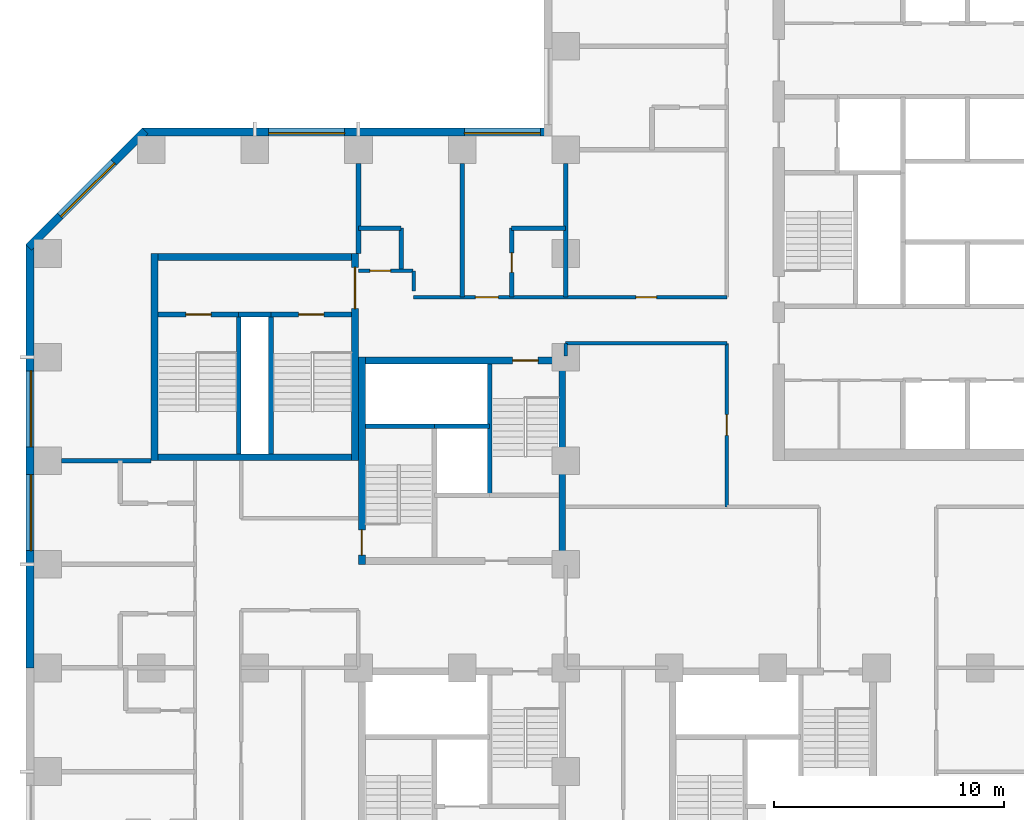
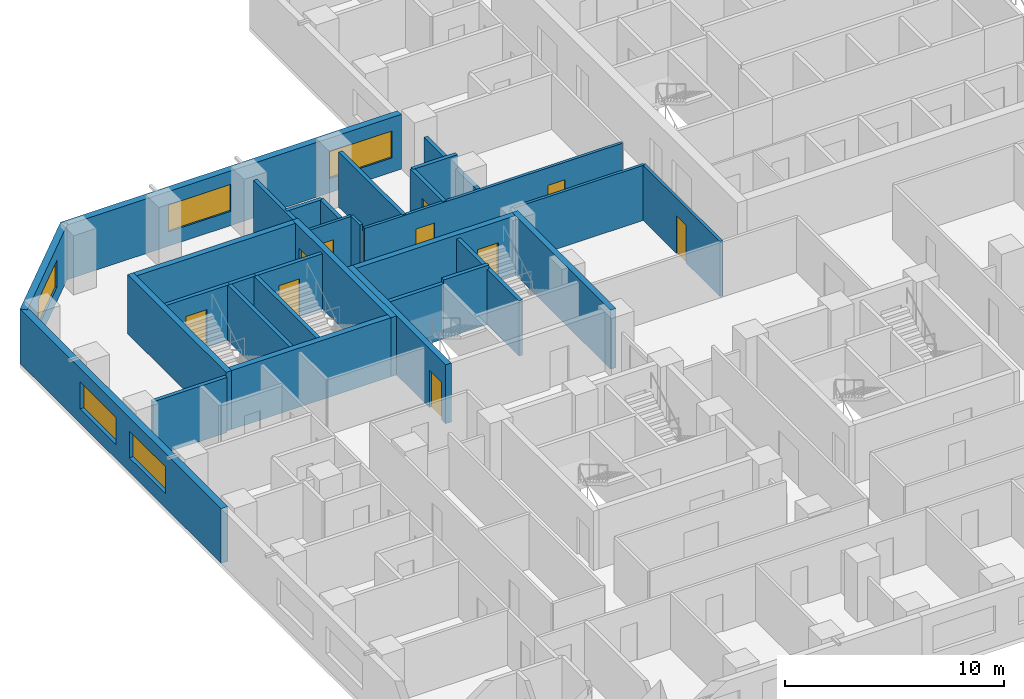
# One storey, part 6 of 13: 32 walls, 10 doors, 5 windows, 15 openings.
"""IFC4 building model written with IfcOpenShell, lengths in metres."""

import ifcopenshell
import ifcopenshell.guid

model = None  # the IFC model being written
_history = None  # IfcOwnerHistory: only IFC2X3 demands one
_inside = {}  # id of a spatial element -> (the spatial element, [elements in it])
_under = {}  # id of a project, library or spatial element -> (it, [spatial elements below it])
_declared = {}  # id of a project -> (the project, [libraries it declares])
_typed = {}  # id of a type object -> (the type object, [elements of that type])
_made_of = {}  # id of a material, layer set ... -> (it, [elements and type objects made of it])


def new_model(schema):
    """Start an empty IFC model of exactly this schema.

    Asked for "IFC4X3", IfcOpenShell would pick the latest addendum, in which some entities
    have other attributes; the version numbers below select the first issue.
    IFC2X3 requires an IfcOwnerHistory on every rooted entity: one is made here for all.
    """
    global model, _history
    if schema == "IFC4X3":
        model = ifcopenshell.file(schema_version=(4, 3, 0, 0))
    else:
        model = ifcopenshell.file(schema=schema)
    _inside.clear()
    _under.clear()
    _declared.clear()
    _typed.clear()
    _made_of.clear()
    _history = None
    if model.schema == "IFC2X3":
        org = make("IfcOrganization", Name="unknown")
        user = make(
            "IfcPersonAndOrganization",
            ThePerson=make("IfcPerson", FamilyName="unknown"),
            TheOrganization=org,
        )
        app = make(
            "IfcApplication",
            ApplicationDeveloper=org,
            Version="unknown",
            ApplicationFullName="unknown",
            ApplicationIdentifier="unknown",
        )
        _history = make(
            "IfcOwnerHistory",
            OwningUser=user,
            OwningApplication=app,
            ChangeAction="ADDED",
            CreationDate=0,
        )
    return model


def make(cls, **values):
    """One entity of the class cls with the attributes given. An attribute that is None is left unset."""
    return model.create_entity(
        cls, **{name: value for name, value in values.items() if value is not None}
    )


def rooted(cls, **values):
    """An entity with a GlobalId (a new one), such as an element, a storey or a relation."""
    return make(cls, GlobalId=ifcopenshell.guid.new(), OwnerHistory=_history, **values)


def si_unit(unit_type, name, prefix=None):
    """IfcSIUnit, for example si_unit("LENGTHUNIT", "METRE", prefix="MILLI")."""
    return make("IfcSIUnit", UnitType=unit_type, Prefix=prefix, Name=name)


def assignment(units):
    """IfcUnitAssignment: the units of a project."""
    return None if units is None else make("IfcUnitAssignment", Units=units)


def point(xyz):
    """IfcCartesianPoint."""
    return None if xyz is None else make("IfcCartesianPoint", Coordinates=xyz)


def direction(xyz):
    """IfcDirection."""
    return None if xyz is None else make("IfcDirection", DirectionRatios=xyz)


def frame(location, z_axis=None, x_axis=None):
    """IfcAxis2Placement3D, a coordinate frame: its origin and axes. An axis left out is left unset."""
    return make(
        "IfcAxis2Placement3D",
        Location=point(location),
        Axis=direction(z_axis),
        RefDirection=direction(x_axis),
    )


def frame_2d(location, x_axis=None):
    """IfcAxis2Placement2D, a coordinate frame in the plane: its origin and x axis."""
    return make(
        "IfcAxis2Placement2D", Location=point(location), RefDirection=direction(x_axis)
    )


def origin():
    """The frame at (0, 0, 0) with its axes left unset."""
    return frame((0.0, 0.0, 0.0))


def place(relative_to, where):
    """IfcLocalPlacement: puts the frame where relative to a parent placement (None: the world)."""
    return make(
        "IfcLocalPlacement", PlacementRelTo=relative_to, RelativePlacement=where
    )


def context(
    kind, dimensions, precision=None, world=None, true_north=None, identifier=None
):
    """IfcGeometricRepresentationContext, for example the 3D "Model" context."""
    return make(
        "IfcGeometricRepresentationContext",
        ContextIdentifier=identifier,
        ContextType=kind,
        CoordinateSpaceDimension=dimensions,
        Precision=precision,
        WorldCoordinateSystem=world,
        TrueNorth=true_north,
    )


def subcontext(parent, identifier, kind, view, scale=None):
    """IfcGeometricRepresentationSubContext, for example "Body" below "Model"."""
    return make(
        "IfcGeometricRepresentationSubContext",
        ContextIdentifier=identifier,
        ContextType=kind,
        ParentContext=parent,
        TargetScale=scale,
        TargetView=view,
    )


def project(units=None, contexts=None):
    """IfcProject with its units and contexts."""
    return rooted(
        "IfcProject",
        Name="project",
        RepresentationContexts=contexts,
        UnitsInContext=assignment(units),
    )


def spatial(cls, under=None, at=None, **own):
    """A site, building, storey or space (cls), placed at a placement, below another one or the project."""
    s = rooted(cls, ObjectPlacement=at, **own)
    if under is not None:
        _under.setdefault(under.id(), (under, []))[1].append(s)
    return s


def profile(cls, at=None, kind="AREA", **sizes):
    """A parametric profile (cls). Its sizes go by their IFC names, for example OverallWidth=200.0."""
    return make(cls, ProfileType=kind, Position=at, **sizes)


def rectangle(**sizes):
    """IfcRectangleProfileDef."""
    return profile("IfcRectangleProfileDef", **sizes)


def extrude(swept, where, along, depth):
    """IfcExtrudedAreaSolid: the profile swept, set in the frame where, extruded along a direction by depth."""
    return make(
        "IfcExtrudedAreaSolid",
        SweptArea=swept,
        Position=where,
        ExtrudedDirection=direction(along),
        Depth=depth,
    )


def shape(context_of_items, identifier, shape_type, items):
    """IfcShapeRepresentation: the items that make up one representation, for example the "Body"."""
    return make(
        "IfcShapeRepresentation",
        ContextOfItems=context_of_items,
        RepresentationIdentifier=identifier,
        RepresentationType=shape_type,
        Items=items,
    )


def material(Name=None, Category=None):
    """IfcMaterial."""
    return make("IfcMaterial", Name=Name, Category=Category)


def layer(
    of_material, thickness, ventilated=None, Name=None, Category=None, Priority=None
):
    """IfcMaterialLayer: one layer of a wall or slab, of a material (None: an air gap)."""
    return make(
        "IfcMaterialLayer",
        Material=of_material,
        LayerThickness=thickness,
        IsVentilated=ventilated,
        Name=Name,
        Category=Category,
        Priority=Priority,
    )


def layer_set(layers, Name=None):
    """IfcMaterialLayerSet."""
    return make("IfcMaterialLayerSet", MaterialLayers=layers, LayerSetName=Name)


def constituent(of_material, Name=None, Category=None, fraction=None):
    """IfcMaterialConstituent: one of the materials an element consists of."""
    return make(
        "IfcMaterialConstituent",
        Name=Name,
        Material=of_material,
        Fraction=fraction,
        Category=Category,
    )


def constituent_set(constituents=None, Name=None):
    """IfcMaterialConstituentSet."""
    return make(
        "IfcMaterialConstituentSet", Name=Name, MaterialConstituents=constituents
    )


def made_of(thing, what):
    """Note that an element or type object is made of a material, layer set ...; save() writes the relation."""
    if what is not None:
        _made_of.setdefault(what.id(), (what, []))[1].append(thing)
    return thing


def type_object(cls, material=None, **own):
    """A type object (cls), such as IfcWallType, which elements share."""
    return made_of(rooted(cls, **own), material)


def element(
    cls,
    number,
    at=None,
    inside=None,
    cuts=None,
    type_object=None,
    material=None,
    context=None,
    identifier="Body",
    shape_type=None,
    held_by="IfcProductDefinitionShape",
    body=None,
    shapes=None,
    **own,
):
    """One element of the class cls, such as IfcWall. Its Tag is "e" and its number.

    at: its placement. inside: the storey or other place that contains it. cuts: it is an
    opening in that element (IfcRelVoidsElement). A single representation is given by context,
    identifier, shape_type and body (its items); several are given by shapes. held_by: the class
    of the entity that holds the representations. save() writes the other relations.
    """
    e = rooted(cls, Tag="e%d" % number, ObjectPlacement=at, **own)
    if body is not None:
        shapes = [shape(context, identifier, shape_type, body)]
    if shapes is not None:
        e.Representation = make(held_by, Representations=shapes)
    if inside is not None:
        _inside.setdefault(inside.id(), (inside, []))[1].append(e)
    if cuts is not None:
        rooted(
            "IfcRelVoidsElement", RelatingBuildingElement=cuts, RelatedOpeningElement=e
        )
    if type_object is not None:
        _typed.setdefault(type_object.id(), (type_object, []))[1].append(e)
    return made_of(e, material)


def fill(opening, filler):
    """IfcRelFillsElement: the door or window that sits in an opening."""
    return rooted(
        "IfcRelFillsElement",
        RelatingOpeningElement=opening,
        RelatedBuildingElement=filler,
    )


def aggregate(whole, parts):
    """IfcRelAggregates: a whole, such as a stair, and the parts it consists of."""
    return rooted("IfcRelAggregates", RelatingObject=whole, RelatedObjects=parts)


def save(model, path):
    """Write the relations noted so far, then the file.

    IfcRelAggregates (storeys below a building ...), IfcRelContainedInSpatialStructure (elements
    in a storey), IfcRelDefinesByType, IfcRelAssociatesMaterial and IfcRelDeclares: one each for
    every whole, place, type object, material and project.
    """
    for whole, parts in _under.values():
        aggregate(whole, parts)
    for where, things in _inside.values():
        rooted(
            "IfcRelContainedInSpatialStructure",
            RelatedElements=things,
            RelatingStructure=where,
        )
    for kind, things in _typed.values():
        rooted("IfcRelDefinesByType", RelatedObjects=things, RelatingType=kind)
    for what, things in _made_of.values():
        rooted("IfcRelAssociatesMaterial", RelatedObjects=things, RelatingMaterial=what)
    for by, libraries in _declared.values():
        rooted("IfcRelDeclares", RelatingContext=by, RelatedDefinitions=libraries)
    model.write(path)


model = new_model("IFC4")

# Units and contexts
model_context = context("Model", 3, precision=1e-05, world=origin(), true_north=direction((0.0, 1.0)))
body_context = subcontext(model_context, "Body", "Model", "MODEL_VIEW")
ifc_project = project(units=[si_unit("LENGTHUNIT", "METRE"), si_unit("AREAUNIT", "SQUARE_METRE"), si_unit("VOLUMEUNIT", "CUBIC_METRE"), si_unit("PLANEANGLEUNIT", "RADIAN"), si_unit("MASSUNIT", "GRAM", prefix="KILO")], contexts=[model_context])

# Site, building, storey
site_placement = place(None, origin())
site = spatial("IfcSite", under=ifc_project, at=site_placement, CompositionType="ELEMENT")
building_placement = place(site_placement, origin())
building = spatial("IfcBuilding", under=site, at=building_placement, Name="Quoin Convention Tower", CompositionType="ELEMENT")
storey_placement = place(building_placement, frame((0.0, 0.0, 23.10009765625)))
storey = spatial("IfcBuildingStorey", under=building, at=storey_placement, Name="L04", CompositionType="ELEMENT", Elevation=23.10009765625)

# Wall, openings, windows
ifc_material_1 = material(Name="Brick masonry", Category="masonry")
ifc_layer_1 = layer(ifc_material_1, 0.35009765625)
ifc_layer_set_1 = layer_set([ifc_layer_1], Name="Brick masonry")
wall_type_1 = type_object("IfcWallType", Name="Brick facade wall", PredefinedType="STANDARD", material=ifc_layer_set_1)
wall_1_placement = place(storey_placement, frame((35.39990234375, 63.77490234375, 0.0), z_axis=(0.0, 0.0, 1.0), x_axis=(-1.0, 0.0, 0.0)))
wall_1 = element("IfcWall", 1, at=wall_1_placement, inside=storey, type_object=wall_type_1, Name="fw-L04-36000_63000", PredefinedType="STANDARD", context=body_context, shape_type="SweptSolid", body=[
    extrude(rectangle(XDim=17.79345703125, YDim=0.35009765625, at=frame_2d((8.896728515625, 0.0))), origin(), (0.0, 0.0, 1.0), 3.054931640625),
])
opening_1_placement = place(wall_1_placement, frame((0.5, 0.0, 0.800048828125)))
opening_1 = element("IfcOpeningElement", 2, at=opening_1_placement, cuts=wall_1, Name="Opening W-01", PredefinedType="OPENING", context=body_context, shape_type="SweptSolid", body=[
    extrude(rectangle(XDim=3.300048828125, YDim=1.5, at=frame_2d((1.64990234375, 0.75))), frame((0.0, 0.18505859375, 0.0), z_axis=(0.0, -1.0, 0.0), x_axis=(1.0, 0.0, 0.0)), (0.0, 0.0, 1.0), 0.3701171875),
])
opening_2_placement = place(wall_1_placement, frame((9.0, 0.0, 0.800048828125)))
opening_2 = element("IfcOpeningElement", 3, at=opening_2_placement, cuts=wall_1, Name="Opening W-01", PredefinedType="OPENING", context=body_context, shape_type="SweptSolid", body=[
    extrude(rectangle(XDim=3.300048828125, YDim=1.5, at=frame_2d((1.64990234375, 0.75))), frame((0.0, 0.18505859375, 0.0), z_axis=(0.0, -1.0, 0.0), x_axis=(1.0, 0.0, 0.0)), (0.0, 0.0, 1.0), 0.3701171875),
])
ifc_material_2 = material(Name="Aluminium", Category="aluminium")
ifc_constituent_1 = constituent(ifc_material_2, Name="Frame")
ifc_material_3 = material(Name="Insulated glass", Category="glass")
ifc_constituent_2 = constituent(ifc_material_3, Name="Glazing")
ifc_constituent_set = constituent_set(constituents=[ifc_constituent_1, ifc_constituent_2], Name="Aluminium")
window_type = type_object("IfcWindowType", Name="Hotel strip window", PartitioningType="DOUBLE_PANEL_VERTICAL", PredefinedType="WINDOW", material=ifc_constituent_set)
window_1_placement = place(opening_1_placement, origin())
window_1 = element("IfcWindow", 4, at=window_1_placement, inside=storey, type_object=window_type, Name="win-L04-33750_63775", OverallHeight=1.5, OverallWidth=3.300048828125, PartitioningType="SINGLE_PANEL", PredefinedType="WINDOW", context=body_context, shape_type="SweptSolid", body=[
    extrude(rectangle(XDim=3.300048828125, YDim=1.5, at=frame_2d((1.64990234375, 0.75))), frame((0.0, 0.0849609375, 0.0), z_axis=(0.0, -1.0, 0.0), x_axis=(1.0, 0.0, 0.0)), (0.0, 0.0, 1.0), 0.06005859375),
])
fill(opening_1, window_1)
window_2_placement = place(opening_2_placement, origin())
window_2 = element("IfcWindow", 5, at=window_2_placement, inside=storey, type_object=window_type, Name="win-L04-24750_63775", OverallHeight=1.5, OverallWidth=3.300048828125, PartitioningType="SINGLE_PANEL", PredefinedType="WINDOW", context=body_context, shape_type="SweptSolid", body=[
    extrude(rectangle(XDim=3.300048828125, YDim=1.5, at=frame_2d((1.64990234375, 0.75))), frame((0.0, 0.0849609375, 0.0), z_axis=(0.0, -1.0, 0.0), x_axis=(1.0, 0.0, 0.0)), (0.0, 0.0, 1.0), 0.06005859375),
])
fill(opening_2, window_2)

# Wall, opening, window
wall_2_placement = place(storey_placement, frame((17.730224609375, 63.826416015625, 0.0), z_axis=(0.0, 0.0, 1.0), x_axis=(-0.707106781187, -0.707106781187, 0.0)))
wall_2 = element("IfcWall", 6, at=wall_2_placement, inside=storey, type_object=wall_type_1, Name="fw-L04-18000_63000", PredefinedType="STANDARD", context=body_context, shape_type="SweptSolid", body=[
    extrude(rectangle(XDim=7.151123046875, YDim=0.35009765625, at=frame_2d((3.57568359375, 0.0))), origin(), (0.0, 0.0, 1.0), 3.054931640625),
])
opening_3_placement = place(wall_2_placement, frame((1.925537109375, 0.0, 0.800048828125)))
opening_3 = element("IfcOpeningElement", 7, at=opening_3_placement, cuts=wall_2, Name="Opening W-01", PredefinedType="OPENING", context=body_context, shape_type="SweptSolid", body=[
    extrude(rectangle(XDim=3.300048828125, YDim=1.5, at=frame_2d((1.64990234375, 0.75))), frame((0.0, 0.18505859375, 0.0), z_axis=(0.0, -1.0, 0.0), x_axis=(1.0, 0.0, 0.0)), (0.0, 0.0, 1.0), 0.3701171875),
])
window_3_placement = place(opening_3_placement, origin())
window_3 = element("IfcWindow", 8, at=window_3_placement, inside=storey, type_object=window_type, Name="win-L04-15202_61298", OverallHeight=1.5, OverallWidth=3.300048828125, PartitioningType="SINGLE_PANEL", PredefinedType="WINDOW", context=body_context, shape_type="SweptSolid", body=[
    extrude(rectangle(XDim=3.300048828125, YDim=1.5, at=frame_2d((1.64990234375, 0.75))), frame((0.0, 0.0849609375, 0.0), z_axis=(0.0, -1.0, 0.0), x_axis=(1.0, 0.0, 0.0)), (0.0, 0.0, 1.0), 0.06005859375),
])
fill(opening_3, window_3)

# Wall, openings, windows
wall_3_placement = place(storey_placement, frame((12.72509765625, 58.8935546875, 0.0), z_axis=(0.0, 0.0, 1.0), x_axis=(0.0, -1.0, 0.0)))
wall_3 = element("IfcWall", 9, at=wall_3_placement, inside=storey, type_object=wall_type_1, Name="fw-L04-13500_58500", PredefinedType="STANDARD", context=body_context, shape_type="SweptSolid", body=[
    extrude(rectangle(XDim=18.3935546875, YDim=0.35009765625, at=frame_2d((9.19677734375, 0.0))), origin(), (0.0, 0.0, 1.0), 3.054931640625),
])
opening_4_placement = place(wall_3_placement, frame((5.493408203125, 0.0, 0.800048828125)))
opening_4 = element("IfcOpeningElement", 10, at=opening_4_placement, cuts=wall_3, Name="Opening W-01", PredefinedType="OPENING", context=body_context, shape_type="SweptSolid", body=[
    extrude(rectangle(XDim=3.300048828125, YDim=1.5, at=frame_2d((1.64990234375, 0.75))), frame((0.0, 0.18505859375, 0.0), z_axis=(0.0, -1.0, 0.0), x_axis=(1.0, 0.0, 0.0)), (0.0, 0.0, 1.0), 0.3701171875),
])
opening_5_placement = place(wall_3_placement, frame((9.993408203125, 0.0, 0.800048828125)))
opening_5 = element("IfcOpeningElement", 11, at=opening_5_placement, cuts=wall_3, Name="Opening W-01", PredefinedType="OPENING", context=body_context, shape_type="SweptSolid", body=[
    extrude(rectangle(XDim=3.300048828125, YDim=1.5, at=frame_2d((1.64990234375, 0.75))), frame((0.0, 0.18505859375, 0.0), z_axis=(0.0, -1.0, 0.0), x_axis=(1.0, 0.0, 0.0)), (0.0, 0.0, 1.0), 0.3701171875),
])
window_4_placement = place(opening_4_placement, origin())
window_4 = element("IfcWindow", 12, at=window_4_placement, inside=storey, type_object=window_type, Name="win-L04-12725_51750", OverallHeight=1.5, OverallWidth=3.300048828125, PartitioningType="SINGLE_PANEL", PredefinedType="WINDOW", context=body_context, shape_type="SweptSolid", body=[
    extrude(rectangle(XDim=3.300048828125, YDim=1.5, at=frame_2d((1.64990234375, 0.75))), frame((0.0, 0.0849609375, 0.0), z_axis=(0.0, -1.0, 0.0), x_axis=(1.0, 0.0, 0.0)), (0.0, 0.0, 1.0), 0.06005859375),
])
fill(opening_4, window_4)
window_5_placement = place(opening_5_placement, origin())
window_5 = element("IfcWindow", 13, at=window_5_placement, inside=storey, type_object=window_type, Name="win-L04-12725_47250", OverallHeight=1.5, OverallWidth=3.300048828125, PartitioningType="SINGLE_PANEL", PredefinedType="WINDOW", context=body_context, shape_type="SweptSolid", body=[
    extrude(rectangle(XDim=3.300048828125, YDim=1.5, at=frame_2d((1.64990234375, 0.75))), frame((0.0, 0.0849609375, 0.0), z_axis=(0.0, -1.0, 0.0), x_axis=(1.0, 0.0, 0.0)), (0.0, 0.0, 1.0), 0.06005859375),
])
fill(opening_5, window_5)

# Walls
ifc_material_4 = material(Name="Concrete C50", Category="concrete")
ifc_layer_2 = layer(ifc_material_4, 0.199951171875)
ifc_layer_set_2 = layer_set([ifc_layer_2], Name="Concrete C50")
wall_type_2 = type_object("IfcWallType", Name="Core shaft wall", PredefinedType="SOLIDWALL", material=ifc_layer_set_2)
wall_4_placement = place(storey_placement, frame((27.300048828125, 51.0, 0.0), z_axis=(0.0, 0.0, 1.0), x_axis=(1.0, 0.0, 0.0)))
element("IfcWall", 14, at=wall_4_placement, inside=storey, type_object=wall_type_2, Name="cr-P2-L04-h6000_300", PredefinedType="SOLIDWALL", context=body_context, shape_type="SweptSolid", body=[
    extrude(rectangle(XDim=3.0, YDim=0.199951171875, at=frame_2d((1.5, 0.0))), origin(), (0.0, 0.0, 1.0), 3.079833984375),
])
wall_5_placement = place(storey_placement, frame((32.699951171875, 48.0, 0.0), z_axis=(0.0, 0.0, 1.0), x_axis=(0.0, 1.0, 0.0)))
element("IfcWall", 15, at=wall_5_placement, inside=storey, type_object=wall_type_2, Name="cr-P2-L04-v5700_3000", PredefinedType="SOLIDWALL", context=body_context, shape_type="SweptSolid", body=[
    extrude(rectangle(XDim=5.699951171875, YDim=0.199951171875, at=frame_2d((2.85009765625, 0.0))), origin(), (0.0, 0.0, 1.0), 3.079833984375),
])
wall_6_placement = place(storey_placement, frame((21.800048828125, 55.85009765625, 0.0), z_axis=(0.0, 0.0, 1.0), x_axis=(1.0, 0.0, 0.0)))
element("IfcWall", 16, at=wall_6_placement, inside=storey, type_object=wall_type_2, Name="cr-P6-L04-h6350_3800", PredefinedType="SOLIDWALL", context=body_context, shape_type="SweptSolid", body=[
    extrude(rectangle(XDim=1.39990234375, YDim=0.199951171875, at=frame_2d((0.699951171875, 0.0))), origin(), (0.0, 0.0, 1.0), 3.079833984375),
])

# Wall, opening, door
wall_7_placement = place(storey_placement, frame((18.300048828125, 55.85009765625, 0.0), z_axis=(0.0, 0.0, 1.0), x_axis=(1.0, 0.0, 0.0)))
wall_7 = element("IfcWall", 17, at=wall_7_placement, inside=storey, type_object=wall_type_2, Name="cr-P6-L04-h6350_300", PredefinedType="SOLIDWALL", context=body_context, shape_type="SweptSolid", body=[
    extrude(rectangle(XDim=3.5, YDim=0.199951171875, at=frame_2d((1.75, 0.0))), origin(), (0.0, 0.0, 1.0), 3.079833984375),
])
opening_6_placement = place(wall_7_placement, frame((1.199951171875, 0.0, 0.0)))
opening_6 = element("IfcOpeningElement", 18, at=opening_6_placement, cuts=wall_7, Name="Opening SD11", PredefinedType="OPENING", context=body_context, shape_type="SweptSolid", body=[
    extrude(rectangle(XDim=1.10009765625, YDim=2.10009765625, at=frame_2d((0.550048828125, 1.050048828125))), frame((0.0, 0.10986328125, 0.0), z_axis=(0.0, -1.0, 0.0), x_axis=(1.0, 0.0, 0.0)), (0.0, 0.0, 1.0), 0.219970703125),
])
ifc_material_5 = material(Name="Steel door leaf", Category="steel")
door_type_1 = type_object("IfcDoorType", Name="Stair door 1100 x 2100", OperationType="SINGLE_SWING_RIGHT", PredefinedType="DOOR", material=ifc_material_5)
door_1_placement = place(opening_6_placement, origin())
door_1 = element("IfcDoor", 19, at=door_1_placement, inside=storey, type_object=door_type_1, Name="cd-P6-L04-SA-R2-SD11", OperationType="SINGLE_SWING_RIGHT", OverallHeight=2.10009765625, OverallWidth=1.10009765625, PredefinedType="DOOR", context=body_context, shape_type="SweptSolid", body=[
    extrude(rectangle(XDim=1.10009765625, YDim=2.10009765625, at=frame_2d((0.550048828125, 1.050048828125))), frame((0.0, 0.02490234375, 0.0), z_axis=(0.0, -1.0, 0.0), x_axis=(1.0, 0.0, 0.0)), (0.0, 0.0, 1.0), 0.050048828125),
])
fill(opening_6, door_1)

wall_8_placement = place(storey_placement, frame((23.199951171875, 55.85009765625, 0.0), z_axis=(0.0, 0.0, 1.0), x_axis=(1.0, 0.0, 0.0)))
wall_8 = element("IfcWall", 20, at=wall_8_placement, inside=storey, type_object=wall_type_2, Name="cr-P6-L04-h6350_5200", PredefinedType="SOLIDWALL", context=body_context, shape_type="SweptSolid", body=[
    extrude(rectangle(XDim=3.5, YDim=0.199951171875, at=frame_2d((1.75, 0.0))), origin(), (0.0, 0.0, 1.0), 3.079833984375),
])
opening_7_placement = place(wall_8_placement, frame((1.199951171875, 0.0, 0.0)))
opening_7 = element("IfcOpeningElement", 21, at=opening_7_placement, cuts=wall_8, Name="Opening SD12", PredefinedType="OPENING", context=body_context, shape_type="SweptSolid", body=[
    extrude(rectangle(XDim=1.10009765625, YDim=2.10009765625, at=frame_2d((0.550048828125, 1.050048828125))), frame((0.0, 0.10986328125, 0.0), z_axis=(0.0, -1.0, 0.0), x_axis=(1.0, 0.0, 0.0)), (0.0, 0.0, 1.0), 0.219970703125),
])
door_2_placement = place(opening_7_placement, origin())
door_2 = element("IfcDoor", 22, at=door_2_placement, inside=storey, type_object=door_type_1, Name="cd-P6-L04-SB-R2-SD12", OperationType="SINGLE_SWING_RIGHT", OverallHeight=2.10009765625, OverallWidth=1.10009765625, PredefinedType="DOOR", context=body_context, shape_type="SweptSolid", body=[
    extrude(rectangle(XDim=1.10009765625, YDim=2.10009765625, at=frame_2d((0.550048828125, 1.050048828125))), frame((0.0, 0.02490234375, 0.0), z_axis=(0.0, -1.0, 0.0), x_axis=(1.0, 0.0, 0.0)), (0.0, 0.0, 1.0), 0.050048828125),
])
fill(opening_7, door_2)

# Walls
for number, where, z_axis, x_axis, name in (
    (23, (21.800048828125, 49.800048828125, 0.0), (0.0, 0.0, 1.0), (0.0, 1.0, 0.0), "cr-P6-L04-v3800_300"),
    (24, (23.199951171875, 49.800048828125, 0.0), (0.0, 0.0, 1.0), (0.0, 1.0, 0.0), "cr-P6-L04-v5200_300"),
):
    element("IfcWall", number, at=place(storey_placement, frame(where, z_axis=z_axis, x_axis=x_axis)), inside=storey, type_object=wall_type_2, Name=name, PredefinedType="SOLIDWALL", context=body_context, shape_type="SweptSolid", body=[
        extrude(rectangle(XDim=6.050048828125, YDim=0.199951171875, at=frame_2d((3.02490234375, 0.0))), origin(), (0.0, 0.0, 1.0), 3.079833984375),
    ])
ifc_layer_3 = layer(ifc_material_4, 0.199951171875)
ifc_layer_set_3 = layer_set([ifc_layer_3], Name="Concrete C50")
wall_type_3 = type_object("IfcWallType", Name="Core shaft wall to the floor level over", PredefinedType="SOLIDWALL", material=ifc_layer_set_3)
wall_9_placement = place(storey_placement, frame((30.300048828125, 51.0, 0.0), z_axis=(0.0, 0.0, 1.0), x_axis=(1.0, 0.0, 0.0)))
element("IfcWall", 25, at=wall_9_placement, inside=storey, type_object=wall_type_3, Name="cr-P2-L04-h6000_3300", PredefinedType="SOLIDWALL", context=body_context, shape_type="SweptSolid", body=[
    extrude(rectangle(XDim=2.39990234375, YDim=0.199951171875, at=frame_2d((1.199951171875, 0.0))), origin(), (0.0, 0.0, 1.0), 3.2998046875),
])

# Wall, opening, door
ifc_material_6 = material(Name="Concrete C80", Category="concrete")
ifc_layer_4 = layer(ifc_material_6, 0.300048828125)
ifc_layer_set_4 = layer_set([ifc_layer_4], Name="Concrete C80")
wall_type_4 = type_object("IfcWallType", Name="RC CORE WALL 300 C80", PredefinedType="SHEAR", material=ifc_layer_set_4)
wall_10_placement = place(storey_placement, frame((27.300048828125, 53.85009765625, 0.0), z_axis=(0.0, 0.0, 1.0), x_axis=(1.0, 0.0, 0.0)))
wall_10 = element("IfcWall", 26, at=wall_10_placement, inside=storey, type_object=wall_type_4, Name="cwl-P2-L04-N", PredefinedType="SHEAR", context=body_context, shape_type="SweptSolid", body=[
    extrude(rectangle(XDim=8.39990234375, YDim=0.300048828125, at=frame_2d((4.199951171875, 0.0))), origin(), (0.0, 0.0, 1.0), 3.2998046875),
])
opening_8_placement = place(wall_10_placement, frame((6.39990234375, 0.0, 0.0)))
opening_8 = element("IfcOpeningElement", 27, at=opening_8_placement, cuts=wall_10, Name="Opening SD4", PredefinedType="OPENING", context=body_context, shape_type="SweptSolid", body=[
    extrude(rectangle(XDim=1.10009765625, YDim=2.10009765625, at=frame_2d((0.550048828125, 1.050048828125))), frame((0.0, 0.159912109375, 0.0), z_axis=(0.0, -1.0, 0.0), x_axis=(1.0, 0.0, 0.0)), (0.0, 0.0, 1.0), 0.320068359375),
])
door_3_placement = place(opening_8_placement, frame((1.10009765625, 0.0, 0.0), z_axis=(0.0, 0.0, 1.0), x_axis=(-1.0, 0.0, 0.0)))
door_3 = element("IfcDoor", 28, at=door_3_placement, inside=storey, type_object=door_type_1, Name="cd-P2-L04-SB-N", OperationType="SINGLE_SWING_LEFT", OverallHeight=2.10009765625, OverallWidth=1.10009765625, PredefinedType="DOOR", context=body_context, shape_type="SweptSolid", body=[
    extrude(rectangle(XDim=1.10009765625, YDim=2.10009765625, at=frame_2d((0.550048828125, 1.050048828125))), frame((0.0, 0.02490234375, 0.0), z_axis=(0.0, -1.0, 0.0), x_axis=(1.0, 0.0, 0.0)), (0.0, 0.0, 1.0), 0.050048828125),
])
fill(opening_8, door_3)

wall_11_placement = place(storey_placement, frame((27.14990234375, 45.0, 0.0), z_axis=(0.0, 0.0, 1.0), x_axis=(0.0, 1.0, 0.0)))
wall_11 = element("IfcWall", 29, at=wall_11_placement, inside=storey, type_object=wall_type_4, Name="cwl-P2-L04-W", PredefinedType="SHEAR", context=body_context, shape_type="SweptSolid", body=[
    extrude(rectangle(XDim=9.0, YDim=0.300048828125, at=frame_2d((4.5, 0.0))), origin(), (0.0, 0.0, 1.0), 3.2998046875),
])
opening_9_placement = place(wall_11_placement, frame((0.39990234375, 0.0, 0.0)))
opening_9 = element("IfcOpeningElement", 30, at=opening_9_placement, cuts=wall_11, Name="Opening SD3", PredefinedType="OPENING", context=body_context, shape_type="SweptSolid", body=[
    extrude(rectangle(XDim=1.10009765625, YDim=2.10009765625, at=frame_2d((0.550048828125, 1.050048828125))), frame((0.0, 0.159912109375, 0.0), z_axis=(0.0, -1.0, 0.0), x_axis=(1.0, 0.0, 0.0)), (0.0, 0.0, 1.0), 0.320068359375),
])
door_4_placement = place(opening_9_placement, frame((1.10009765625, 0.0, 0.0), z_axis=(0.0, 0.0, 1.0), x_axis=(-1.0, 0.0, 0.0)))
door_4 = element("IfcDoor", 31, at=door_4_placement, inside=storey, type_object=door_type_1, Name="cd-P2-L04-SA-W", OperationType="SINGLE_SWING_RIGHT", OverallHeight=2.10009765625, OverallWidth=1.10009765625, PredefinedType="DOOR", context=body_context, shape_type="SweptSolid", body=[
    extrude(rectangle(XDim=1.10009765625, YDim=2.10009765625, at=frame_2d((0.550048828125, 1.050048828125))), frame((0.0, 0.02490234375, 0.0), z_axis=(0.0, -1.0, 0.0), x_axis=(1.0, 0.0, 0.0)), (0.0, 0.0, 1.0), 0.050048828125),
])
fill(opening_9, door_4)

# Walls
wall_12_placement = place(storey_placement, frame((35.85009765625, 45.0, 0.0), z_axis=(0.0, 0.0, 1.0), x_axis=(0.0, 1.0, 0.0)))
element("IfcWall", 32, at=wall_12_placement, inside=storey, type_object=wall_type_4, Name="cwl-P2-L04-E", PredefinedType="SHEAR", context=body_context, shape_type="SweptSolid", body=[
    extrude(rectangle(XDim=9.0, YDim=0.300048828125, at=frame_2d((4.5, 0.0))), origin(), (0.0, 0.0, 1.0), 3.2998046875),
])
for number, where, z_axis, x_axis, name in (
    (33, (18.300048828125, 49.64990234375, 0.0), (0.0, 0.0, 1.0), (1.0, 0.0, 0.0), "cwl-P6-L04-S"),
    (34, (18.300048828125, 58.35009765625, 0.0), (0.0, 0.0, 1.0), (1.0, 0.0, 0.0), "cwl-P6-L04-N"),
):
    element("IfcWall", number, at=place(storey_placement, frame(where, z_axis=z_axis, x_axis=x_axis)), inside=storey, type_object=wall_type_4, Name=name, PredefinedType="SHEAR", context=body_context, shape_type="SweptSolid", body=[
        extrude(rectangle(XDim=8.39990234375, YDim=0.300048828125, at=frame_2d((4.199951171875, 0.0))), origin(), (0.0, 0.0, 1.0), 3.2998046875),
    ])
wall_13_placement = place(storey_placement, frame((18.14990234375, 49.5, 0.0), z_axis=(0.0, 0.0, 1.0), x_axis=(0.0, 1.0, 0.0)))
element("IfcWall", 35, at=wall_13_placement, inside=storey, type_object=wall_type_4, Name="cwl-P6-L04-W", PredefinedType="SHEAR", context=body_context, shape_type="SweptSolid", body=[
    extrude(rectangle(XDim=9.0, YDim=0.300048828125, at=frame_2d((4.5, 0.0))), origin(), (0.0, 0.0, 1.0), 3.2998046875),
])

# Wall, opening, door
wall_14_placement = place(storey_placement, frame((26.85009765625, 49.5, 0.0), z_axis=(0.0, 0.0, 1.0), x_axis=(0.0, 1.0, 0.0)))
wall_14 = element("IfcWall", 36, at=wall_14_placement, inside=storey, type_object=wall_type_4, Name="cwl-P6-L04-E", PredefinedType="SHEAR", context=body_context, shape_type="SweptSolid", body=[
    extrude(rectangle(XDim=9.0, YDim=0.300048828125, at=frame_2d((4.5, 0.0))), origin(), (0.0, 0.0, 1.0), 3.2998046875),
])
opening_10_placement = place(wall_14_placement, frame((6.60009765625, 0.0, 0.0)))
opening_10 = element("IfcOpeningElement", 37, at=opening_10_placement, cuts=wall_14, Name="Opening DCV2-44", PredefinedType="OPENING", context=body_context, shape_type="SweptSolid", body=[
    extrude(rectangle(XDim=1.800048828125, YDim=2.10009765625, at=frame_2d((0.89990234375, 1.050048828125))), frame((0.0, 0.159912109375, 0.0), z_axis=(0.0, -1.0, 0.0), x_axis=(1.0, 0.0, 0.0)), (0.0, 0.0, 1.0), 0.320068359375),
])
door_type_2 = type_object("IfcDoorType", Name="Goods lobby door 1800 x 2100", OperationType="SINGLE_SWING_LEFT", PredefinedType="DOOR", material=ifc_material_5)
door_5_placement = place(opening_10_placement, origin())
door_5 = element("IfcDoor", 38, at=door_5_placement, inside=storey, type_object=door_type_2, Name="cd-P6-L04-R2-E", OperationType="SINGLE_SWING_LEFT", OverallHeight=2.10009765625, OverallWidth=1.800048828125, PredefinedType="DOOR", context=body_context, shape_type="SweptSolid", body=[
    extrude(rectangle(XDim=1.800048828125, YDim=2.10009765625, at=frame_2d((0.89990234375, 1.050048828125))), frame((0.0, 0.02490234375, 0.0), z_axis=(0.0, -1.0, 0.0), x_axis=(1.0, 0.0, 0.0)), (0.0, 0.0, 1.0), 0.050048828125),
])
fill(opening_10, door_5)

# Walls
ifc_layer_5 = layer(ifc_material_4, 0.199951171875)
ifc_layer_set_5 = layer_set([ifc_layer_5], Name="Concrete C50")
wall_type_5 = type_object("IfcWallType", Name="RC party wall", PredefinedType="SOLIDWALL", material=ifc_layer_set_5)
for number, where, z_axis, x_axis, name in (
    (39, (14.10009765625, 49.5, 0.0), (0.0, 0.0, 1.0), (1.0, 0.0, 0.0), "pw-L04-072"),
    (40, (27.0, 58.5, 0.0), (0.0, 0.0, 1.0), (0.0, 1.0, 0.0), "pw-L04-082"),
):
    element("IfcWall", number, at=place(storey_placement, frame(where, z_axis=z_axis, x_axis=x_axis)), inside=storey, type_object=wall_type_5, Name=name, PredefinedType="SOLIDWALL", context=body_context, shape_type="SweptSolid", body=[
        extrude(rectangle(XDim=3.89990234375, YDim=0.199951171875, at=frame_2d((1.949951171875, 0.0))), origin(), (0.0, 0.0, 1.0), 3.079833984375),
    ])
wall_15_placement = place(storey_placement, frame((28.85009765625, 57.72998046875, 0.0), z_axis=(0.0, 0.0, 1.0), x_axis=(0.0, 1.0, 0.0)))
element("IfcWall", 41, at=wall_15_placement, inside=storey, type_object=wall_type_5, Name="pw-L04-083", PredefinedType="SOLIDWALL", context=body_context, shape_type="SweptSolid", body=[
    extrude(rectangle(XDim=1.8701171875, YDim=0.199951171875, at=frame_2d((0.93505859375, 0.0))), origin(), (0.0, 0.0, 1.0), 3.079833984375),
])
wall_16_placement = place(storey_placement, frame((31.5, 56.60009765625, 0.0), z_axis=(0.0, 0.0, 1.0), x_axis=(0.0, 1.0, 0.0)))
element("IfcWall", 42, at=wall_16_placement, inside=storey, type_object=wall_type_5, Name="pw-L04-084", PredefinedType="SOLIDWALL", context=body_context, shape_type="SweptSolid", body=[
    extrude(rectangle(XDim=5.7998046875, YDim=0.199951171875, at=frame_2d((2.89990234375, 0.0))), origin(), (0.0, 0.0, 1.0), 3.079833984375),
])

# Wall, opening, door
wall_17_placement = place(storey_placement, frame((33.64990234375, 56.60009765625, 0.0), z_axis=(0.0, 0.0, 1.0), x_axis=(0.0, 1.0, 0.0)))
wall_17 = element("IfcWall", 43, at=wall_17_placement, inside=storey, type_object=wall_type_5, Name="pw-L04-085", PredefinedType="SOLIDWALL", context=body_context, shape_type="SweptSolid", body=[
    extrude(rectangle(XDim=3.0, YDim=0.199951171875, at=frame_2d((1.5, 0.0))), origin(), (0.0, 0.0, 1.0), 3.079833984375),
])
opening_11_placement = place(wall_17_placement, frame((1.074951171875, 0.0, 0.0)))
opening_11 = element("IfcOpeningElement", 44, at=opening_11_placement, cuts=wall_17, Name="Opening DHOTEL-M-59", PredefinedType="OPENING", context=body_context, shape_type="SweptSolid", body=[
    extrude(rectangle(XDim=0.85009765625, YDim=2.10009765625, at=frame_2d((0.425048828125, 1.050048828125))), frame((0.0, 0.10986328125, 0.0), z_axis=(0.0, -1.0, 0.0), x_axis=(1.0, 0.0, 0.0)), (0.0, 0.0, 1.0), 0.219970703125),
])
door_type_3 = type_object("IfcDoorType", Name="Bathroom door", OperationType="SINGLE_SWING_LEFT", PredefinedType="DOOR", material=ifc_material_5)
door_6_placement = place(opening_11_placement, origin())
door_6 = element("IfcDoor", 45, at=door_6_placement, inside=storey, type_object=door_type_3, Name="dr-L04-026", OperationType="SINGLE_SWING_LEFT", OverallHeight=2.10009765625, OverallWidth=0.85009765625, PredefinedType="DOOR", context=body_context, shape_type="SweptSolid", body=[
    extrude(rectangle(XDim=0.85009765625, YDim=2.10009765625, at=frame_2d((0.425048828125, 1.050048828125))), frame((0.0, 0.02490234375, 0.0), z_axis=(0.0, -1.0, 0.0), x_axis=(1.0, 0.0, 0.0)), (0.0, 0.0, 1.0), 0.050048828125),
])
fill(opening_11, door_6)

# Walls
wall_18_placement = place(storey_placement, frame((27.0, 59.60009765625, 0.0), z_axis=(0.0, 0.0, 1.0), x_axis=(1.0, 0.0, 0.0)))
element("IfcWall", 46, at=wall_18_placement, inside=storey, type_object=wall_type_5, Name="pw-L04-093", PredefinedType="SOLIDWALL", context=body_context, shape_type="SweptSolid", body=[
    extrude(rectangle(XDim=1.85009765625, YDim=0.199951171875, at=frame_2d((0.925048828125, 0.0))), origin(), (0.0, 0.0, 1.0), 3.079833984375),
])
wall_19_placement = place(storey_placement, frame((33.64990234375, 59.60009765625, 0.0), z_axis=(0.0, 0.0, 1.0), x_axis=(1.0, 0.0, 0.0)))
element("IfcWall", 47, at=wall_19_placement, inside=storey, type_object=wall_type_5, Name="pw-L04-094", PredefinedType="SOLIDWALL", context=body_context, shape_type="SweptSolid", body=[
    extrude(rectangle(XDim=2.35009765625, YDim=0.199951171875, at=frame_2d((1.175048828125, 0.0))), origin(), (0.0, 0.0, 1.0), 3.079833984375),
])

# Wall, opening, door
ifc_material_7 = material(Name="Plasterboard")
ifc_layer_6 = layer(ifc_material_7, 0.012451171875, Name="Finish")
ifc_material_8 = material(Name="Steel stud framing", Category="steel")
ifc_layer_7 = layer(ifc_material_8, 0.125, Name="Structure")
ifc_layer_8 = layer(ifc_material_7, 0.012451171875, Name="Finish")
ifc_layer_set_6 = layer_set([ifc_layer_6, ifc_layer_7, ifc_layer_8], Name="Steel stud framing")
wall_type_6 = type_object("IfcWallType", Name="corridor partition", PredefinedType="PARTITIONING", material=ifc_layer_set_6)
wall_20_placement = place(storey_placement, frame((43.0, 47.5, 0.0), z_axis=(0.0, 0.0, 1.0), x_axis=(0.0, 1.0, 0.0)))
wall_20 = element("IfcWall", 48, at=wall_20_placement, inside=storey, type_object=wall_type_6, Name="pw-L04-028", PredefinedType="PARTITIONING", context=body_context, shape_type="SweptSolid", body=[
    extrude(rectangle(XDim=7.10009765625, YDim=0.14990234375, at=frame_2d((3.550048828125, 0.0))), origin(), (0.0, 0.0, 1.0), 3.079833984375),
])
opening_12_placement = place(wall_20_placement, frame((3.10009765625, 0.0, 0.0)))
opening_12 = element("IfcOpeningElement", 49, at=opening_12_placement, cuts=wall_20, Name="Opening DHOTEL-M-28", PredefinedType="OPENING", context=body_context, shape_type="SweptSolid", body=[
    extrude(rectangle(XDim=0.89990234375, YDim=2.10009765625, at=frame_2d((0.449951171875, 1.050048828125))), frame((0.0, 0.0849609375, 0.0), z_axis=(0.0, -1.0, 0.0), x_axis=(1.0, 0.0, 0.0)), (0.0, 0.0, 1.0), 0.169921875),
])
door_type_4 = type_object("IfcDoorType", Name="Service room door", OperationType="SINGLE_SWING_LEFT", PredefinedType="DOOR", material=ifc_material_5)
door_7_placement = place(opening_12_placement, origin())
door_7 = element("IfcDoor", 50, at=door_7_placement, inside=storey, type_object=door_type_4, Name="dr-L04-079", OperationType="SINGLE_SWING_RIGHT", OverallHeight=2.10009765625, OverallWidth=0.89990234375, PredefinedType="DOOR", context=body_context, shape_type="SweptSolid", body=[
    extrude(rectangle(XDim=0.89990234375, YDim=2.10009765625, at=frame_2d((0.449951171875, 1.050048828125))), frame((0.0, 0.02490234375, 0.0), z_axis=(0.0, -1.0, 0.0), x_axis=(1.0, 0.0, 0.0)), (0.0, 0.0, 1.0), 0.050048828125),
])
fill(opening_12, door_7)

# Walls
wall_21_placement = place(storey_placement, frame((36.0, 54.050048828125, 0.0), z_axis=(0.0, 0.0, 1.0), x_axis=(0.0, 1.0, 0.0)))
element("IfcWall", 51, at=wall_21_placement, inside=storey, type_object=wall_type_6, Name="pw-L04-032", PredefinedType="PARTITIONING", context=body_context, shape_type="SweptSolid", body=[
    extrude(rectangle(XDim=0.550048828125, YDim=0.14990234375, at=frame_2d((0.27490234375, 0.0))), origin(), (0.0, 0.0, 1.0), 3.079833984375),
])
wall_22_placement = place(storey_placement, frame((36.0, 54.60009765625, 0.0), z_axis=(0.0, 0.0, 1.0), x_axis=(1.0, 0.0, 0.0)))
element("IfcWall", 52, at=wall_22_placement, inside=storey, type_object=wall_type_6, Name="pw-L04-034", PredefinedType="PARTITIONING", context=body_context, shape_type="SweptSolid", body=[
    extrude(rectangle(XDim=7.0, YDim=0.14990234375, at=frame_2d((3.5, 0.0))), origin(), (0.0, 0.0, 1.0), 3.079833984375),
])

# Wall, openings, doors
wall_23_placement = place(storey_placement, frame((29.3798828125, 56.60009765625, 0.0), z_axis=(0.0, 0.0, 1.0), x_axis=(1.0, 0.0, 0.0)))
wall_23 = element("IfcWall", 53, at=wall_23_placement, inside=storey, type_object=wall_type_6, Name="pw-L04-035", PredefinedType="PARTITIONING", context=body_context, shape_type="SweptSolid", body=[
    extrude(rectangle(XDim=13.6201171875, YDim=0.14990234375, at=frame_2d((6.81005859375, 0.0))), origin(), (0.0, 0.0, 1.0), 3.079833984375),
])
opening_13_placement = place(wall_23_placement, frame((2.695068359375, 0.0, 0.0)))
opening_13 = element("IfcOpeningElement", 54, at=opening_13_placement, cuts=wall_23, Name="Opening DHOTEL-M-37", PredefinedType="OPENING", context=body_context, shape_type="SweptSolid", body=[
    extrude(rectangle(XDim=1.0, YDim=2.10009765625, at=frame_2d((0.5, 1.050048828125))), frame((0.0, 0.0849609375, 0.0), z_axis=(0.0, -1.0, 0.0), x_axis=(1.0, 0.0, 0.0)), (0.0, 0.0, 1.0), 0.169921875),
])
opening_14_placement = place(wall_23_placement, frame((9.669921875, 0.0, 0.0)))
opening_14 = element("IfcOpeningElement", 55, at=opening_14_placement, cuts=wall_23, Name="Opening DHOTEL-M-38", PredefinedType="OPENING", context=body_context, shape_type="SweptSolid", body=[
    extrude(rectangle(XDim=0.89990234375, YDim=2.10009765625, at=frame_2d((0.449951171875, 1.050048828125))), frame((0.0, 0.0849609375, 0.0), z_axis=(0.0, -1.0, 0.0), x_axis=(1.0, 0.0, 0.0)), (0.0, 0.0, 1.0), 0.169921875),
])
door_type_5 = type_object("IfcDoorType", Name="Hotel room door", OperationType="SINGLE_SWING_LEFT", PredefinedType="DOOR", material=ifc_material_5)
door_8_placement = place(opening_13_placement, origin())
door_8 = element("IfcDoor", 56, at=door_8_placement, inside=storey, type_object=door_type_5, Name="dr-L04-025", OperationType="SINGLE_SWING_RIGHT", OverallHeight=2.10009765625, OverallWidth=1.0, PredefinedType="DOOR", context=body_context, shape_type="SweptSolid", body=[
    extrude(rectangle(XDim=1.0, YDim=2.10009765625, at=frame_2d((0.5, 1.050048828125))), frame((0.0, 0.02490234375, 0.0), z_axis=(0.0, -1.0, 0.0), x_axis=(1.0, 0.0, 0.0)), (0.0, 0.0, 1.0), 0.050048828125),
])
fill(opening_13, door_8)
door_9_placement = place(opening_14_placement, origin())
door_9 = element("IfcDoor", 57, at=door_9_placement, inside=storey, type_object=door_type_4, Name="dr-L04-080", OperationType="SINGLE_SWING_RIGHT", OverallHeight=2.10009765625, OverallWidth=0.89990234375, PredefinedType="DOOR", context=body_context, shape_type="SweptSolid", body=[
    extrude(rectangle(XDim=0.89990234375, YDim=2.10009765625, at=frame_2d((0.449951171875, 1.050048828125))), frame((0.0, 0.02490234375, 0.0), z_axis=(0.0, -1.0, 0.0), x_axis=(1.0, 0.0, 0.0)), (0.0, 0.0, 1.0), 0.050048828125),
])
fill(opening_14, door_9)

# Wall, opening, door
wall_24_placement = place(storey_placement, frame((27.0, 57.75, 0.0), z_axis=(0.0, 0.0, 1.0), x_axis=(1.0, 0.0, 0.0)))
wall_24 = element("IfcWall", 58, at=wall_24_placement, inside=storey, type_object=wall_type_6, Name="pw-L04-w01", PredefinedType="PARTITIONING", context=body_context, shape_type="SweptSolid", body=[
    extrude(rectangle(XDim=2.364990234375, YDim=0.14990234375, at=frame_2d((1.1826171875, 0.0))), origin(), (0.0, 0.0, 1.0), 3.079833984375),
])
opening_15_placement = place(wall_24_placement, frame((0.5, 0.0, 0.0)))
opening_15 = element("IfcOpeningElement", 59, at=opening_15_placement, cuts=wall_24, Name="Opening DHOTEL-M-74", PredefinedType="OPENING", context=body_context, shape_type="SweptSolid", body=[
    extrude(rectangle(XDim=0.89990234375, YDim=2.10009765625, at=frame_2d((0.449951171875, 1.050048828125))), frame((0.0, 0.0849609375, 0.0), z_axis=(0.0, -1.0, 0.0), x_axis=(1.0, 0.0, 0.0)), (0.0, 0.0, 1.0), 0.169921875),
])
door_type_6 = type_object("IfcDoorType", Name="Single room door", OperationType="SINGLE_SWING_RIGHT", PredefinedType="DOOR", material=ifc_material_5)
door_10_placement = place(opening_15_placement, origin())
door_10 = element("IfcDoor", 60, at=door_10_placement, inside=storey, type_object=door_type_6, Name="dr-L04-w01", OperationType="SINGLE_SWING_RIGHT", OverallHeight=2.10009765625, OverallWidth=0.89990234375, PredefinedType="DOOR", context=body_context, shape_type="SweptSolid", body=[
    extrude(rectangle(XDim=0.89990234375, YDim=2.10009765625, at=frame_2d((0.449951171875, 1.050048828125))), frame((0.0, 0.02490234375, 0.0), z_axis=(0.0, -1.0, 0.0), x_axis=(1.0, 0.0, 0.0)), (0.0, 0.0, 1.0), 0.050048828125),
])
fill(opening_15, door_10)

# Walls
wall_25_placement = place(storey_placement, frame((29.39990234375, 57.75, 0.0), z_axis=(0.0, 0.0, 1.0), x_axis=(0.0, -1.0, 0.0)))
element("IfcWall", 61, at=wall_25_placement, inside=storey, type_object=wall_type_6, Name="pw-L04-w02", PredefinedType="PARTITIONING", context=body_context, shape_type="SweptSolid", body=[
    extrude(rectangle(XDim=0.875, YDim=0.14990234375, at=frame_2d((0.4375, 0.0))), origin(), (0.0, 0.0, 1.0), 3.079833984375),
])
ifc_layer_9 = layer(ifc_material_7, 0.012451171875, Name="Finish")
ifc_layer_10 = layer(ifc_material_8, 0.175048828125, Name="Structure")
ifc_layer_11 = layer(ifc_material_7, 0.012451171875, Name="Finish")
ifc_layer_set_7 = layer_set([ifc_layer_9, ifc_layer_10, ifc_layer_11], Name="Steel stud framing")
wall_type_7 = type_object("IfcWallType", Name="guest room compartment wall under beam 750", PredefinedType="PARTITIONING", material=ifc_layer_set_7)
wall_26_placement = place(storey_placement, frame((36.0, 56.60009765625, 0.0), z_axis=(0.0, 0.0, 1.0), x_axis=(0.0, 1.0, 0.0)))
element("IfcWall", 62, at=wall_26_placement, inside=storey, type_object=wall_type_7, Name="pw-L04-002", PredefinedType="PARTITIONING", context=body_context, shape_type="SweptSolid", body=[
    extrude(rectangle(XDim=5.7998046875, YDim=0.199951171875, at=frame_2d((2.89990234375, 0.0))), origin(), (0.0, 0.0, 1.0), 2.329833984375),
])

save(model, "model.ifc")
